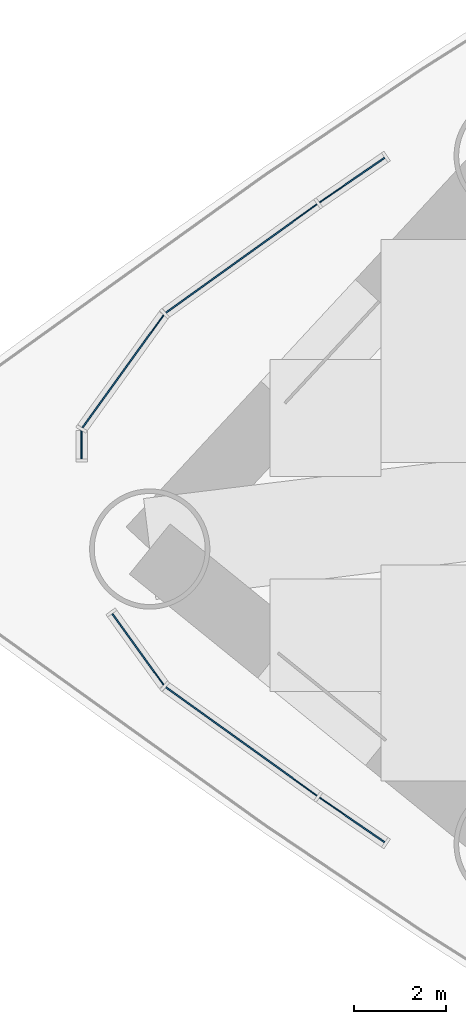
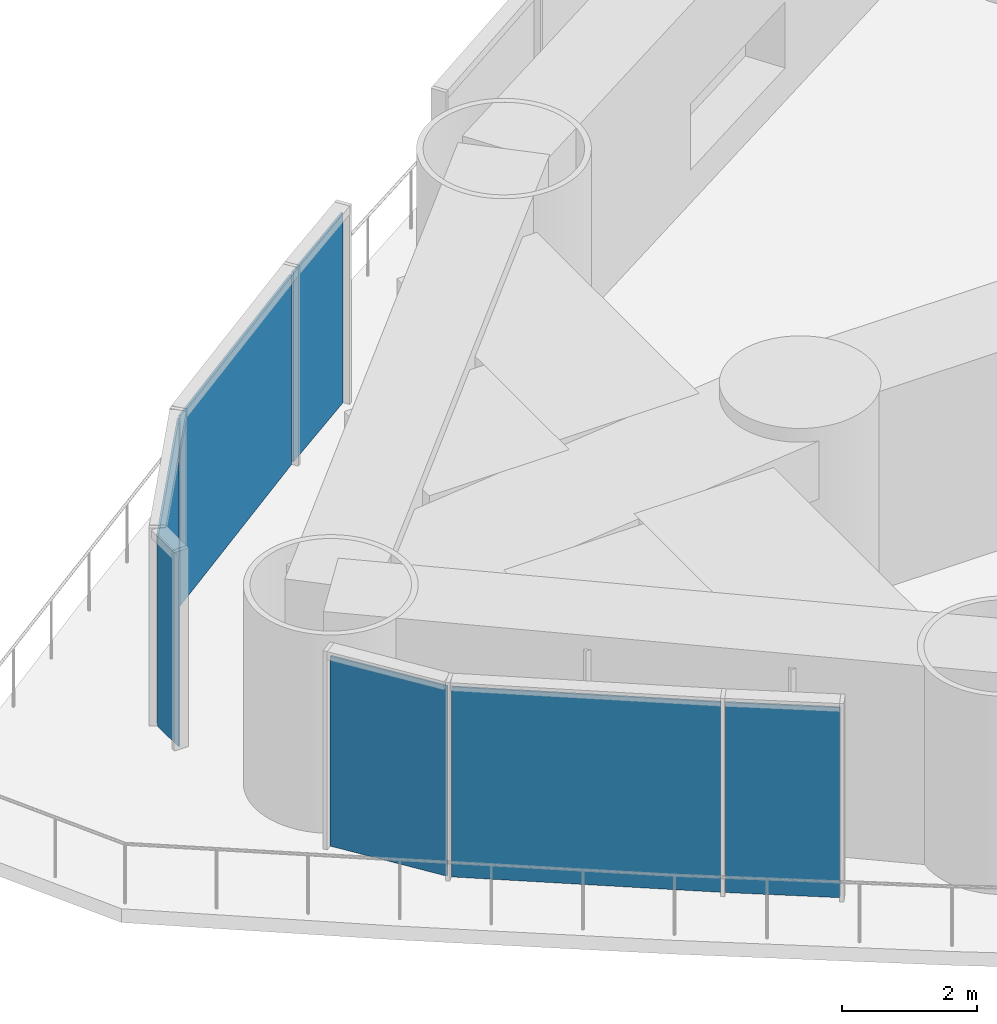
# One storey, part 10 of 19: 7 plates, 2 elements without a shape of their own.
"""IFC4 building model written with IfcOpenShell, lengths in metres."""

from ifc_helpers import new_model, si_unit, direction, frame, origin, origin_2d, place, context, subcontext, project, spatial, rectangle, extrude, material, layer, layer_set, type_object, element, aggregate, save


model = new_model("IFC4")

# Units and contexts
model_context = context("Model", 3, precision=1e-05, world=origin(), true_north=direction((0.0, 1.0)))
body_context = subcontext(model_context, "Body", "Model", "MODEL_VIEW")
ifc_project = project(units=[si_unit("LENGTHUNIT", "METRE"), si_unit("AREAUNIT", "SQUARE_METRE"), si_unit("VOLUMEUNIT", "CUBIC_METRE"), si_unit("PLANEANGLEUNIT", "RADIAN"), si_unit("MASSUNIT", "GRAM", prefix="KILO")], contexts=[model_context])

# Site, building, storey
site_placement = place(None, origin())
site = spatial("IfcSite", under=ifc_project, at=site_placement, CompositionType="ELEMENT")
building_placement = place(site_placement, origin())
building = spatial("IfcBuilding", under=site, at=building_placement, Name="Lancet Gate Hotel", CompositionType="ELEMENT")
storey_placement = place(building_placement, frame((0.0, 0.0, 87.0)))
storey = spatial("IfcBuildingStorey", under=building, at=storey_placement, Name="L22", CompositionType="ELEMENT", Elevation=87.0)

# Curtain wall, plates
ifc_material_1 = material(Name="Aluminium curtain wall", Category="aluminium")
curtain_wall_type = type_object("IfcCurtainWallType", Name="Tower unitised curtain wall", PredefinedType="USERDEFINED", material=ifc_material_1)
curtain_wall_1_placement = place(storey_placement, origin())
curtain_wall_1 = element("IfcCurtainWall", 1, at=curtain_wall_1_placement, inside=storey, type_object=curtain_wall_type, Name="T1 L22 curtain wall 5", ObjectType="UNITISED CURTAIN WALL", PredefinedType="USERDEFINED")
ifc_material_2 = material(Name="Glass double glazed unit 8-16-6", Category="glass")
ifc_layer = layer(ifc_material_2, 0.030029296875)
ifc_layer_set = layer_set([ifc_layer], Name="Vision panel double glazed")
plate_type = type_object("IfcPlateType", Name="Vision panel double glazed", PredefinedType="CURTAIN_PANEL", material=ifc_layer_set)
plate_1_placement = place(storey_placement, frame((-65.79150390625, 6.918701171875, 0.0), z_axis=(0.0, 0.0, 1.0), x_axis=(-0.824466422775, -0.565910874357, 0.0)))
plate_1 = element("IfcPlate", 2, at=plate_1_placement, type_object=plate_type, Name="T1 L22 curtain wall 5 panel 1", PredefinedType="CURTAIN_PANEL", context=body_context, shape_type="SweptSolid", body=[
    extrude(rectangle(XDim=1.710205078125, YDim=0.030029296875, at=origin_2d()), origin(), (0.0, 0.0, 1.0), 3.449951171875),
])
plate_2_placement = place(storey_placement, frame((-68.184814453125, 5.22265625, 0.0), z_axis=(0.0, 0.0, 1.0), x_axis=(-0.812093204276, -0.583527743615, 0.0)))
plate_2 = element("IfcPlate", 3, at=plate_2_placement, type_object=plate_type, Name="T1 L22 curtain wall 5 panel 2", PredefinedType="CURTAIN_PANEL", context=body_context, shape_type="SweptSolid", body=[
    extrude(rectangle(XDim=4.026611328125, YDim=0.030029296875, at=origin_2d()), origin(), (0.0, 0.0, 1.0), 3.449951171875),
])
plate_3_placement = place(storey_placement, frame((-70.74462890625, 2.782470703125, 0.0), z_axis=(0.0, 0.0, 1.0), x_axis=(-0.584808645706, -0.811171281486, 0.0)))
plate_3 = element("IfcPlate", 4, at=plate_3_placement, type_object=plate_type, Name="T1 L22 curtain wall 5 panel 3", PredefinedType="CURTAIN_PANEL", context=body_context, shape_type="SweptSolid", body=[
    extrude(rectangle(XDim=3.0078125, YDim=0.030029296875, at=origin_2d()), origin(), (0.0, 0.0, 1.0), 3.449951171875),
])
plate_4_placement = place(storey_placement, frame((-71.64306640625, 1.196533203125, 0.0), z_axis=(0.0, 0.0, 1.0), x_axis=(0.0, -1.0, 0.0)))
plate_4 = element("IfcPlate", 5, at=plate_4_placement, type_object=plate_type, Name="T1 L22 curtain wall 5 panel 4", PredefinedType="CURTAIN_PANEL", context=body_context, shape_type="SweptSolid", body=[
    extrude(rectangle(XDim=0.614501953125, YDim=0.030029296875, at=origin_2d()), origin(), (0.0, 0.0, 1.0), 3.449951171875),
])
aggregate(curtain_wall_1, [plate_1, plate_2, plate_3, plate_4])

curtain_wall_2_placement = place(storey_placement, origin())
curtain_wall_2 = element("IfcCurtainWall", 6, at=curtain_wall_2_placement, inside=storey, type_object=curtain_wall_type, Name="T1 L22 curtain wall 6", ObjectType="UNITISED CURTAIN WALL", PredefinedType="USERDEFINED")
plate_5_placement = place(storey_placement, frame((-70.421630859375, -3.230712890625, 0.0), z_axis=(0.0, 0.0, 1.0), x_axis=(0.584808645706, -0.811171281486, 0.0)))
plate_5 = element("IfcPlate", 7, at=plate_5_placement, type_object=plate_type, Name="T1 L22 curtain wall 6 panel 1", PredefinedType="CURTAIN_PANEL", context=body_context, shape_type="SweptSolid", body=[
    extrude(rectangle(XDim=1.903076171875, YDim=0.030029296875, at=origin_2d()), origin(), (0.0, 0.0, 1.0), 3.449951171875),
])
plate_6_placement = place(storey_placement, frame((-68.184814453125, -5.22265625, 0.0), z_axis=(0.0, 0.0, 1.0), x_axis=(0.812093204276, -0.583527743615, 0.0)))
plate_6 = element("IfcPlate", 8, at=plate_6_placement, type_object=plate_type, Name="T1 L22 curtain wall 6 panel 2", PredefinedType="CURTAIN_PANEL", context=body_context, shape_type="SweptSolid", body=[
    extrude(rectangle(XDim=4.026611328125, YDim=0.030029296875, at=origin_2d()), origin(), (0.0, 0.0, 1.0), 3.449951171875),
])
plate_7_placement = place(storey_placement, frame((-65.79150390625, -6.918701171875, 0.0), z_axis=(0.0, 0.0, 1.0), x_axis=(0.824466422775, -0.565910874357, 0.0)))
plate_7 = element("IfcPlate", 9, at=plate_7_placement, type_object=plate_type, Name="T1 L22 curtain wall 6 panel 3", PredefinedType="CURTAIN_PANEL", context=body_context, shape_type="SweptSolid", body=[
    extrude(rectangle(XDim=1.710205078125, YDim=0.030029296875, at=origin_2d()), origin(), (0.0, 0.0, 1.0), 3.449951171875),
])
aggregate(curtain_wall_2, [plate_5, plate_6, plate_7])

save(model, "model.ifc")
